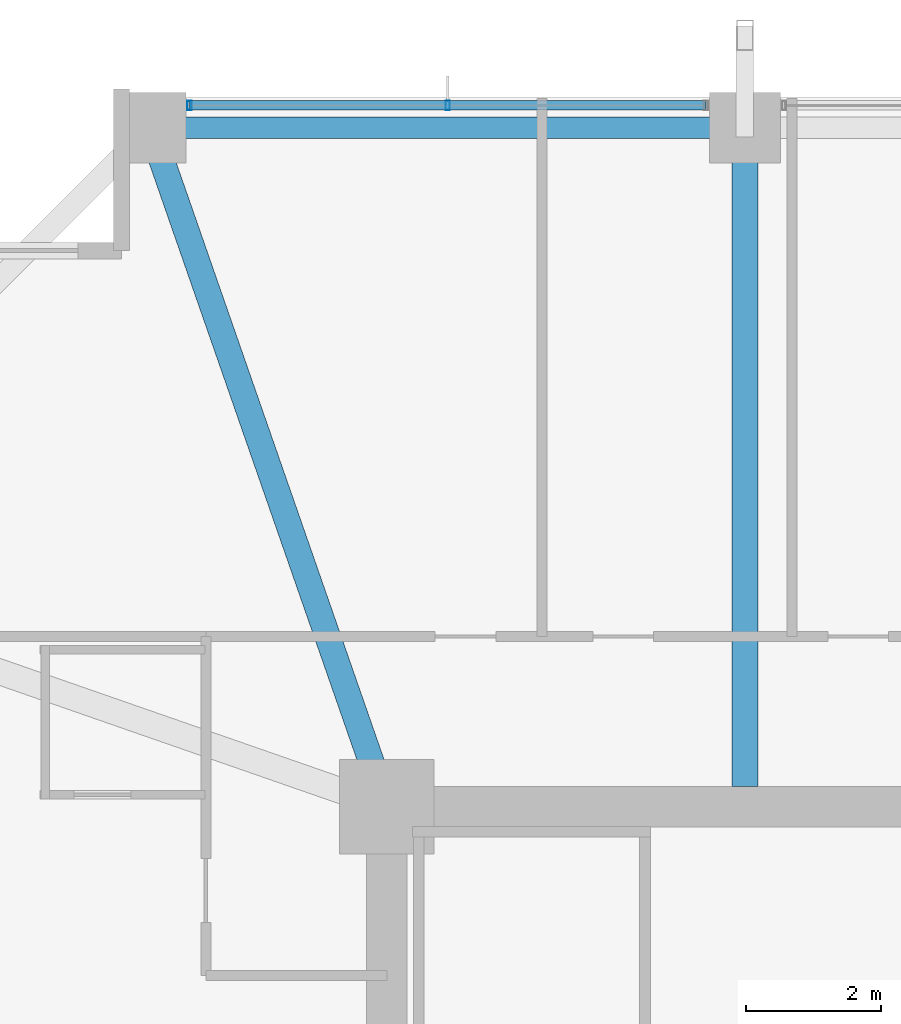
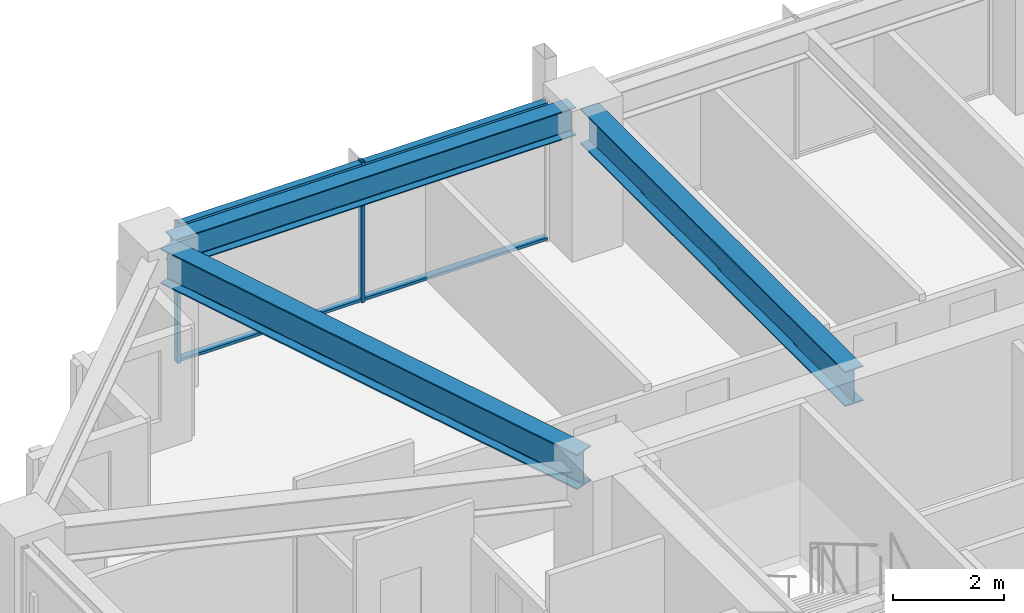
# One storey, part 19 of 37: 4 members, 3 beams, 1 element without a shape of its own.
"""IFC4 building model written with IfcOpenShell, lengths in metres."""

from ifc_helpers import new_model, si_unit, direction, frame, origin, origin_2d, place, context, subcontext, project, spatial, hollow_rectangle, i_section, extrude, material, material_profile, profile_set, type_object, element, aggregate, save


model = new_model("IFC4")

# Units and contexts
model_context = context("Model", 3, precision=1e-05, world=origin(), true_north=direction((0.0, 1.0)))
body_context = subcontext(model_context, "Body", "Model", "MODEL_VIEW")
ifc_project = project(units=[si_unit("LENGTHUNIT", "METRE"), si_unit("AREAUNIT", "SQUARE_METRE"), si_unit("VOLUMEUNIT", "CUBIC_METRE"), si_unit("PLANEANGLEUNIT", "RADIAN"), si_unit("MASSUNIT", "GRAM", prefix="KILO")], contexts=[model_context])

# Site, building, storey
site_placement = place(None, origin())
site = spatial("IfcSite", under=ifc_project, at=site_placement, CompositionType="ELEMENT")
building_placement = place(site_placement, origin())
building = spatial("IfcBuilding", under=site, at=building_placement, Name="Kolvaren Belvedere", CompositionType="ELEMENT")
storey_placement = place(building_placement, frame((0.0, 0.0, 82.10009765625)))
storey = spatial("IfcBuildingStorey", under=building, at=storey_placement, Name="L23", CompositionType="ELEMENT", Elevation=82.10009765625)

# Beams
ifc_material_1 = material(Name="Structural steel ASTM A992 Grade 50", Category="steel")
ifc_material_profile_1 = material_profile(ifc_material_1, i_section(OverallWidth=0.381103515625, OverallDepth=0.77294921875, WebThickness=0.0166015625, FlangeThickness=0.027099609375, FilletRadius=0.02392578125, at=origin_2d()), Name="W30X173")
ifc_profile_set_1 = profile_set([ifc_material_profile_1], Name="Structural steel ASTM A992 Grade 50")
beam_type_1 = type_object("IfcBeamType", Name="BM-GIRD-W30X173", PredefinedType="BEAM", material=ifc_profile_set_1)
beam_1_placement = place(storey_placement, frame((-4.60009765625, 10.199951171875, 2.693359375), z_axis=(0.0, 1.0, 0.0), x_axis=(-1.0, 0.0, 0.0)))
element("IfcBeam", 1, at=beam_1_placement, inside=storey, type_object=beam_type_1, Name="L23 North Radial Girder M", PredefinedType="BEAM", context=body_context, shape_type="SweptSolid", body=[
    extrude(i_section(OverallWidth=0.381103515625, OverallDepth=0.77294921875, WebThickness=0.0166015625, FlangeThickness=0.027099609375, FilletRadius=0.02392578125, at=origin_2d()), origin(), (0.0, 0.0, 1.0), 9.513916015625),
])
beam_2_placement = place(storey_placement, frame((-10.080810546875, 10.41943359375, 2.693359375), z_axis=(-0.328880894453, 0.944371408538, 0.0), x_axis=(-0.944371408538, -0.328880894453, 0.0)))
element("IfcBeam", 2, at=beam_2_placement, inside=storey, type_object=beam_type_1, Name="L23 Corner Core-to-Perimeter Girder CC4-N1", PredefinedType="BEAM", context=body_context, shape_type="SweptSolid", body=[
    extrude(i_section(OverallWidth=0.381103515625, OverallDepth=0.77294921875, WebThickness=0.0166015625, FlangeThickness=0.027099609375, FilletRadius=0.02392578125, at=origin_2d()), origin(), (0.0, 0.0, 1.0), 9.882080078125),
])
ifc_material_2 = material(Name="Structural steel ASTM A992 Grade 50", Category="steel")
ifc_material_profile_2 = material_profile(ifc_material_2, i_section(OverallWidth=0.324951171875, OverallDepth=0.615966796875, WebThickness=0.013916015625, FlangeThickness=0.021484375, FilletRadius=0.02001953125, at=origin_2d()), Name="W24X117")
ifc_profile_set_2 = profile_set([ifc_material_profile_2], Name="Structural steel ASTM A992 Grade 50")
beam_type_2 = type_object("IfcBeamType", Name="BM-SPAN-W24X117", PredefinedType="SPANDREL", material=ifc_profile_set_2)
beam_3_placement = place(storey_placement, frame((-4.836181640625, 19.949951171875, 2.77197265625), z_axis=(-1.0, 0.0, 0.0), x_axis=(0.0, -1.0, 0.0)))
element("IfcBeam", 3, at=beam_3_placement, inside=storey, type_object=beam_type_2, Name="L23 Perimeter Spandrel N2-N1", PredefinedType="SPANDREL", context=body_context, shape_type="SweptSolid", body=[
    extrude(i_section(OverallWidth=0.324951171875, OverallDepth=0.615966796875, WebThickness=0.013916015625, FlangeThickness=0.021484375, FilletRadius=0.02001953125, at=origin_2d()), origin(), (0.0, 0.0, 1.0), 8.32763671875),
])

# Curtain wall, members
ifc_material_3 = material(Name="Anodised pale-metal aluminium AA 6063-T6", Category="aluminium")
curtain_wall_type = type_object("IfcCurtainWallType", Name="CW-Z2-MID", PredefinedType="NOTDEFINED", material=ifc_material_3)
curtain_wall_placement = place(storey_placement, origin())
curtain_wall = element("IfcCurtainWall", 4, at=curtain_wall_placement, inside=storey, type_object=curtain_wall_type, Name="L23 Unitised Curtain Wall FCW-L23-N-B1", PredefinedType="NOTDEFINED")
ifc_material_4 = material(Name="Anodised pale-metal aluminium AA 6063-T6", Category="aluminium")
ifc_material_profile_3 = material_profile(ifc_material_4, hollow_rectangle(XDim=0.06494140625, YDim=0.139892578125, WallThickness=0.00390625, at=origin_2d()), Name="ALU-MUL-140X65")
ifc_profile_set_3 = profile_set([ifc_material_profile_3], Name="Anodised pale-metal aluminium AA 6063-T6")
member_type_1 = type_object("IfcMemberType", Name="CW-MUL-140", PredefinedType="MULLION", material=ifc_profile_set_3)
member_1_placement = place(storey_placement, frame((-12.822509765625, 20.280029296875, 0.0), z_axis=(0.0, 0.0, 1.0), x_axis=(1.0, 0.0, 0.0)))
member_1 = element("IfcMember", 5, at=member_1_placement, type_object=member_type_1, Name="FCW-L23-N-B1 Unitised Mullion 1", PredefinedType="MULLION", context=body_context, shape_type="SweptSolid", body=[
    extrude(hollow_rectangle(XDim=0.06494140625, YDim=0.139892578125, WallThickness=0.00390625, at=origin_2d()), origin(), (0.0, 0.0, 1.0), 3.079833984375),
])
member_2_placement = place(storey_placement, frame((-9.0, 20.280029296875, 0.0), z_axis=(0.0, 0.0, 1.0), x_axis=(1.0, 0.0, 0.0)))
member_2 = element("IfcMember", 6, at=member_2_placement, type_object=member_type_1, Name="FCW-L23-N-B1 Unitised Mullion 2", PredefinedType="MULLION", context=body_context, shape_type="SweptSolid", body=[
    extrude(hollow_rectangle(XDim=0.06494140625, YDim=0.139892578125, WallThickness=0.00390625, at=origin_2d()), origin(), (0.0, 0.0, 1.0), 3.079833984375),
])
ifc_material_5 = material(Name="Anodised pale-metal aluminium AA 6063-T6", Category="aluminium")
ifc_material_profile_4 = material_profile(ifc_material_5, hollow_rectangle(XDim=0.06005859375, YDim=0.139892578125, WallThickness=0.00390625, at=origin_2d()), Name="ALU-TRN-140X60")
ifc_profile_set_4 = profile_set([ifc_material_profile_4], Name="Anodised pale-metal aluminium AA 6063-T6")
member_type_2 = type_object("IfcMemberType", Name="CW-TRN-140", PredefinedType="USERDEFINED", material=ifc_profile_set_4)
member_3_placement = place(storey_placement, frame((-12.822509765625, 20.280029296875, 0.059814453125), z_axis=(1.0, 0.0, 0.0), x_axis=(0.0, 0.0, 1.0)))
member_3 = element("IfcMember", 7, at=member_3_placement, type_object=member_type_2, Name="FCW-L23-N-B1 Sill Transom", ObjectType="TRANSOM", PredefinedType="USERDEFINED", context=body_context, shape_type="SweptSolid", body=[
    extrude(hollow_rectangle(XDim=0.06005859375, YDim=0.139892578125, WallThickness=0.00390625, at=origin_2d()), origin(), (0.0, 0.0, 1.0), 7.64501953125),
])
member_4_placement = place(storey_placement, frame((-12.822509765625, 20.280029296875, 3.02001953125), z_axis=(1.0, 0.0, 0.0), x_axis=(0.0, 0.0, 1.0)))
member_4 = element("IfcMember", 8, at=member_4_placement, type_object=member_type_2, Name="FCW-L23-N-B1 Head Transom", ObjectType="TRANSOM", PredefinedType="USERDEFINED", context=body_context, shape_type="SweptSolid", body=[
    extrude(hollow_rectangle(XDim=0.06005859375, YDim=0.139892578125, WallThickness=0.00390625, at=origin_2d()), origin(), (0.0, 0.0, 1.0), 7.64501953125),
])
aggregate(curtain_wall, [member_1, member_2, member_3, member_4])

save(model, "model.ifc")
